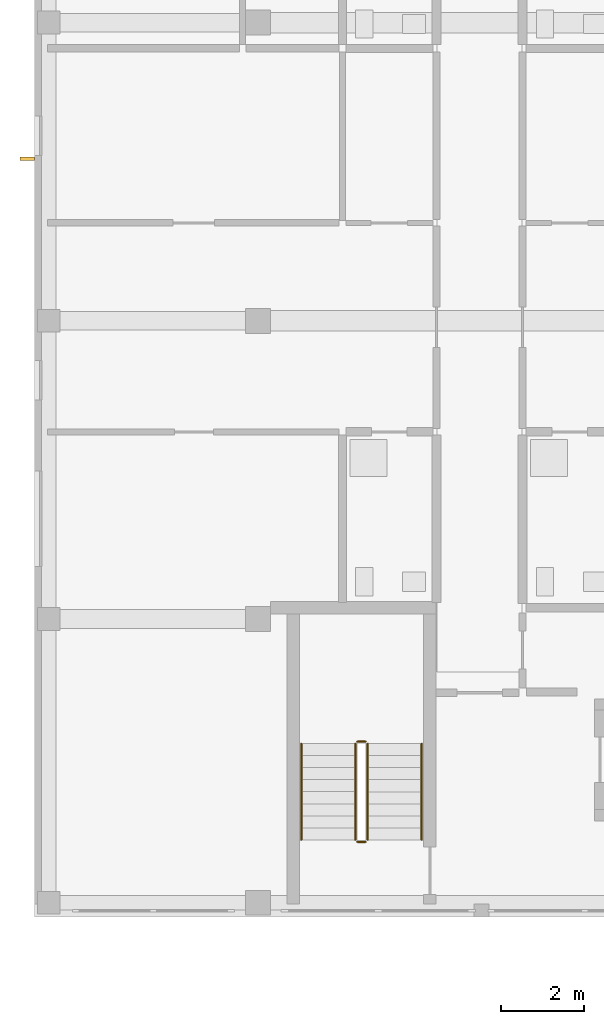
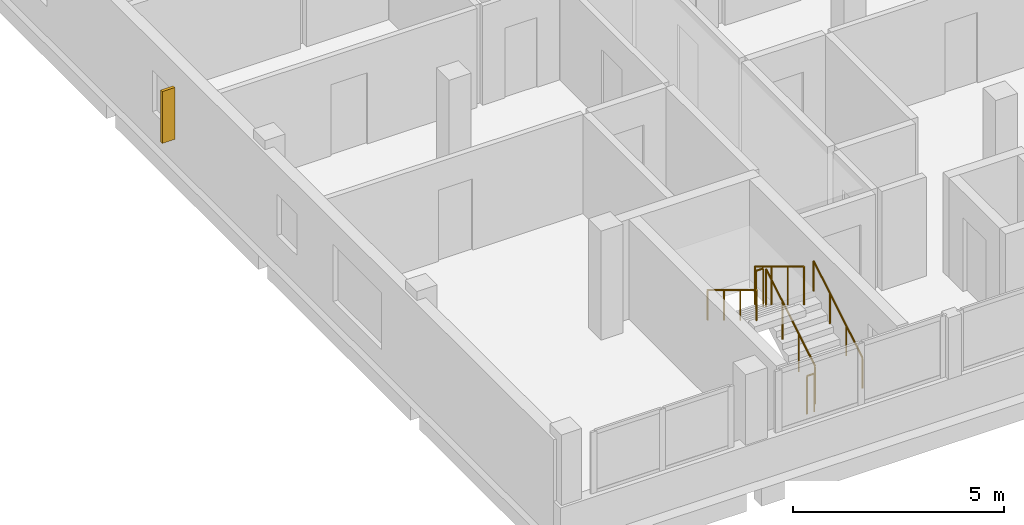
# One storey, part 32 of 41: 6 railings, 1 shading device.
"""IFC4 building model written with IfcOpenShell, lengths in metres."""

from ifc_helpers import new_model, si_unit, derived_unit, direction, frame, origin, origin_2d, place, context, subcontext, project, spatial, rectangle, circle, extrude, material, type_object, element, save


model = new_model("IFC4")

# Units and contexts
model_context = context("Model", 3, precision=1e-05, world=origin(), true_north=direction((0.0, 1.0)))
body_context = subcontext(model_context, "Body", "Model", "MODEL_VIEW")
ifc_project = project(units=[si_unit("LENGTHUNIT", "METRE"), si_unit("AREAUNIT", "SQUARE_METRE"), si_unit("VOLUMEUNIT", "CUBIC_METRE"), si_unit("PLANEANGLEUNIT", "RADIAN"), si_unit("MASSUNIT", "GRAM", prefix="KILO"), derived_unit("THERMALTRANSMITTANCEUNIT", [(si_unit("MASSUNIT", "GRAM", prefix="KILO"), 1), (si_unit("TIMEUNIT", "SECOND"), -3), (si_unit("THERMODYNAMICTEMPERATUREUNIT", "KELVIN"), -1)])], contexts=[model_context])

# Site, building, storey
site_placement = place(None, origin())
site = spatial("IfcSite", under=ifc_project, at=site_placement, CompositionType="ELEMENT")
building_placement = place(site_placement, origin())
building = spatial("IfcBuilding", under=site, at=building_placement, Name="Ochrekiln Boulevard Commons", CompositionType="ELEMENT")
storey_placement = place(building_placement, frame((0.0, 0.0, 21.52490234375)))
storey = spatial("IfcBuildingStorey", under=building, at=storey_placement, Name="L06", CompositionType="ELEMENT", Elevation=21.52490234375)

# Railings
ifc_material_1 = material(Name="Brushed stainless steel 316 tubular railing", Category="steel")
railing_type_1 = type_object("IfcRailingType", Name="RLG-HDR-900", PredefinedType="HANDRAIL", material=ifc_material_1)
railing_1_placement = place(storey_placement, frame((9.35009765625, 70.27001953125, 0.175048828125)))
element("IfcRailing", 1, at=railing_1_placement, inside=storey, type_object=railing_type_1, Name="L06 ST-A1 stair handrail 1", PredefinedType="HANDRAIL", context=body_context, shape_type="SweptSolid", body=[
    extrude(circle(Radius=0.02392578125, at=origin_2d()), frame((0.0, 0.0, 0.8759765625), z_axis=(0.0, 0.856170481923, 0.516693435108), x_axis=(-1.0, 0.0, 0.0)), (0.0, 0.0, 1.0), 2.709716796875),
    extrude(circle(Radius=0.02099609375, at=origin_2d()), origin(), (0.0, 0.0, 1.0), 0.851806640625),
    extrude(circle(Radius=0.02099609375, at=origin_2d()), frame((0.0, 0.7734375, 0.466796875)), (0.0, 0.0, 1.0), 0.851806640625),
    extrude(circle(Radius=0.02099609375, at=origin_2d()), frame((0.0, 1.546630859375, 0.933349609375)), (0.0, 0.0, 1.0), 0.851806640625),
    extrude(circle(Radius=0.02099609375, at=origin_2d()), frame((0.0, 2.320068359375, 1.400146484375)), (0.0, 0.0, 1.0), 0.851806640625),
])
railing_2_placement = place(storey_placement, frame((6.449951171875, 72.590087890625, 1.75)))
element("IfcRailing", 2, at=railing_2_placement, inside=storey, type_object=railing_type_1, Name="L06 ST-A1 stair handrail 2", PredefinedType="HANDRAIL", context=body_context, shape_type="SweptSolid", body=[
    extrude(circle(Radius=0.02392578125, at=origin_2d()), frame((0.0, 0.0, 0.8759765625), z_axis=(0.0, -0.856170481923, 0.516693435108), x_axis=(1.0, 0.0, 0.0)), (0.0, 0.0, 1.0), 2.709716796875),
    extrude(circle(Radius=0.02099609375, at=origin_2d()), origin(), (0.0, 0.0, 1.0), 0.851806640625),
    extrude(circle(Radius=0.02099609375, at=origin_2d()), frame((0.0, -0.7734375, 0.466796875)), (0.0, 0.0, 1.0), 0.851806640625),
    extrude(circle(Radius=0.02099609375, at=origin_2d()), frame((0.0, -1.546630859375, 0.933349609375)), (0.0, 0.0, 1.0), 0.851806640625),
    extrude(circle(Radius=0.02099609375, at=origin_2d()), frame((0.0, -2.320068359375, 1.400146484375)), (0.0, 0.0, 1.0), 0.851806640625),
])
railing_type_2 = type_object("IfcRailingType", Name="RLG-STR-1120", PredefinedType="BALUSTRADE", material=ifc_material_1)
railing_3_placement = place(storey_placement, frame((8.050048828125, 70.27001953125, 0.175048828125)))
element("IfcRailing", 3, at=railing_3_placement, inside=storey, type_object=railing_type_2, Name="L06 ST-A1 stair guard 1", PredefinedType="BALUSTRADE", context=body_context, shape_type="SweptSolid", body=[
    extrude(circle(Radius=0.02392578125, at=origin_2d()), frame((0.0, 0.0, 1.09619140625), z_axis=(0.0, 0.856170481923, 0.516693435108), x_axis=(-1.0, 0.0, 0.0)), (0.0, 0.0, 1.0), 2.709716796875),
    extrude(circle(Radius=0.02099609375, at=origin_2d()), origin(), (0.0, 0.0, 1.0), 1.072021484375),
    extrude(circle(Radius=0.02099609375, at=origin_2d()), frame((0.0, 0.7734375, 0.466796875)), (0.0, 0.0, 1.0), 1.072021484375),
    extrude(circle(Radius=0.02099609375, at=origin_2d()), frame((0.0, 1.546630859375, 0.933349609375)), (0.0, 0.0, 1.0), 1.072021484375),
    extrude(circle(Radius=0.02099609375, at=origin_2d()), frame((0.0, 2.320068359375, 1.400146484375)), (0.0, 0.0, 1.0), 1.072021484375),
])
railing_4_placement = place(storey_placement, frame((8.0, 72.639892578125, 1.5751953125)))
element("IfcRailing", 4, at=railing_4_placement, inside=storey, type_object=railing_type_2, Name="L06 ST-A1 stair guard 2", PredefinedType="BALUSTRADE", context=body_context, shape_type="SweptSolid", body=[
    extrude(circle(Radius=0.02392578125, at=origin_2d()), frame((0.0, 0.0, 1.09619140625), z_axis=(-1.0, 0.0, 0.0), x_axis=(0.0, -1.0, 0.0)), (0.0, 0.0, 1.0), 0.199951171875),
    extrude(circle(Radius=0.02099609375, at=origin_2d()), origin(), (0.0, 0.0, 1.0), 1.072021484375),
    extrude(circle(Radius=0.02099609375, at=origin_2d()), frame((-0.199951171875, 0.0, 0.0)), (0.0, 0.0, 1.0), 1.072021484375),
])
railing_5_placement = place(storey_placement, frame((7.75, 72.590087890625, 1.75)))
element("IfcRailing", 5, at=railing_5_placement, inside=storey, type_object=railing_type_2, Name="L06 ST-A1 stair guard 3", PredefinedType="BALUSTRADE", context=body_context, shape_type="SweptSolid", body=[
    extrude(circle(Radius=0.02392578125, at=origin_2d()), frame((0.0, 0.0, 1.09619140625), z_axis=(0.0, -0.856170481923, 0.516693435108), x_axis=(1.0, 0.0, 0.0)), (0.0, 0.0, 1.0), 2.709716796875),
    extrude(circle(Radius=0.02099609375, at=origin_2d()), origin(), (0.0, 0.0, 1.0), 1.072021484375),
    extrude(circle(Radius=0.02099609375, at=origin_2d()), frame((0.0, -0.7734375, 0.466796875)), (0.0, 0.0, 1.0), 1.072021484375),
    extrude(circle(Radius=0.02099609375, at=origin_2d()), frame((0.0, -1.546630859375, 0.933349609375)), (0.0, 0.0, 1.0), 1.072021484375),
    extrude(circle(Radius=0.02099609375, at=origin_2d()), frame((0.0, -2.320068359375, 1.400146484375)), (0.0, 0.0, 1.0), 1.072021484375),
])
railing_6_placement = place(storey_placement, frame((8.0, 70.219970703125, 0.0)))
element("IfcRailing", 6, at=railing_6_placement, inside=storey, type_object=railing_type_2, Name="L06 ST-A1 stair guard 4", PredefinedType="BALUSTRADE", context=body_context, shape_type="SweptSolid", body=[
    extrude(circle(Radius=0.02392578125, at=origin_2d()), frame((0.0, 0.0, 1.09619140625), z_axis=(-1.0, 0.0, 0.0), x_axis=(0.0, -1.0, 0.0)), (0.0, 0.0, 1.0), 0.199951171875),
    extrude(circle(Radius=0.02099609375, at=origin_2d()), origin(), (0.0, 0.0, 1.0), 1.072021484375),
    extrude(circle(Radius=0.02099609375, at=origin_2d()), frame((-0.199951171875, 0.0, 0.0)), (0.0, 0.0, 1.0), 1.072021484375),
])

# Shading device
ifc_material_2 = material(Name="Glazed architectural terracotta ASTM C1405", Category="masonry")
shading_device_type = type_object("IfcShadingDeviceType", Name="SHD-FIN-TERRA", PredefinedType="JALOUSIE", material=ifc_material_2)
shading_device_placement = place(storey_placement, frame((-0.169921875, 86.7119140625, 0.7001953125), z_axis=(0.0, 0.0, 1.0), x_axis=(1.0, 0.0, 0.0)))
element("IfcShadingDevice", 7, at=shading_device_placement, inside=storey, type_object=shading_device_type, Name="Terracotta Solar Shading Fin SF-01 (10)", PredefinedType="JALOUSIE", context=body_context, shape_type="SweptSolid", body=[
    extrude(rectangle(XDim=0.35009765625, YDim=0.080078125, at=origin_2d()), origin(), (0.0, 0.0, 1.0), 1.5),
])

save(model, "model.ifc")
